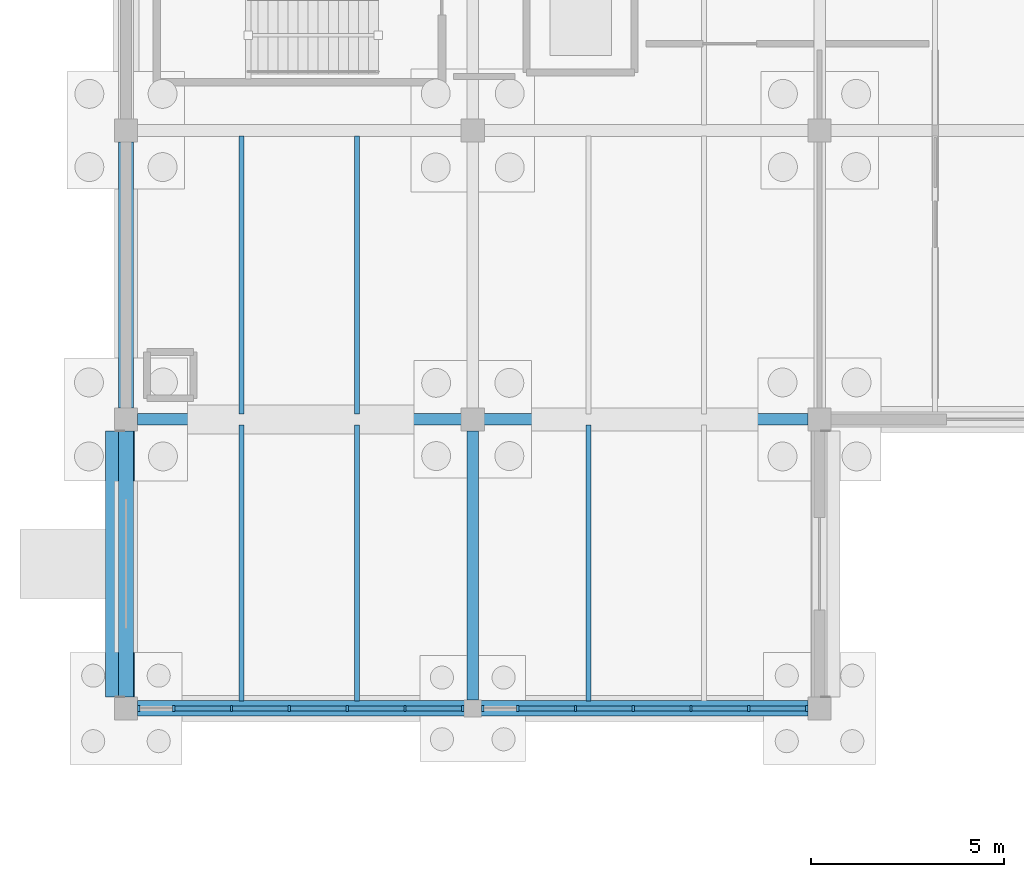
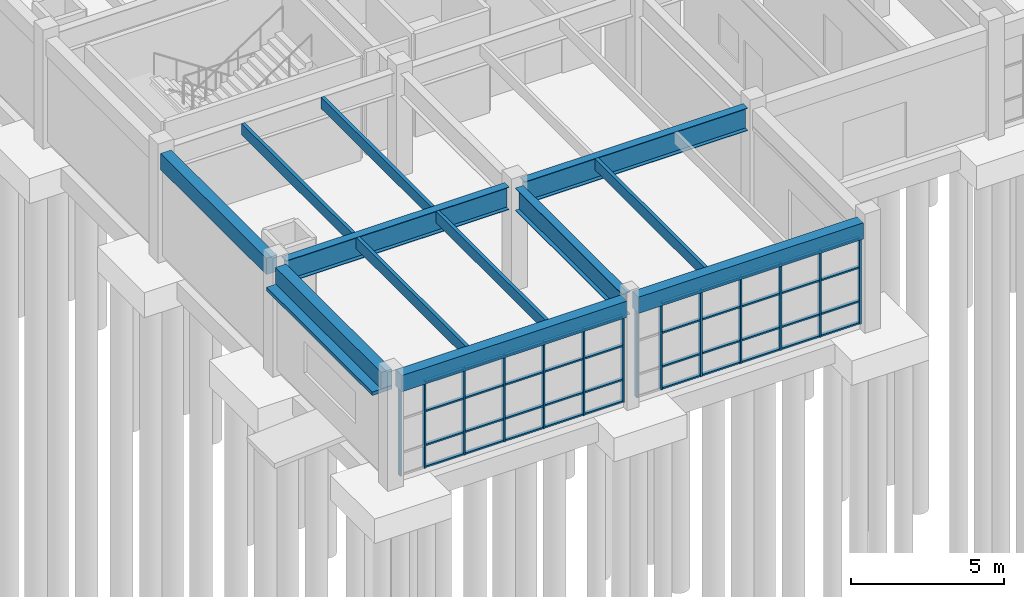
# One storey, part 27 of 93: 55 members, 12 beams, 2 elements without a shape of their own.
"""IFC4 building model written with IfcOpenShell, lengths in metres."""

from ifc_helpers import new_model, si_unit, direction, frame, origin, origin_2d, place, context, subcontext, project, spatial, rectangle, i_section, extrude, material, layer, layer_set, material_profile, profile_set, type_object, element, aggregate, save


model = new_model("IFC4")

# Units and contexts
model_context = context("Model", 3, precision=1e-05, world=origin(), true_north=direction((0.0, 1.0)))
body_context = subcontext(model_context, "Body", "Model", "MODEL_VIEW")
ifc_project = project(units=[si_unit("LENGTHUNIT", "METRE"), si_unit("AREAUNIT", "SQUARE_METRE"), si_unit("VOLUMEUNIT", "CUBIC_METRE"), si_unit("PLANEANGLEUNIT", "RADIAN"), si_unit("MASSUNIT", "GRAM", prefix="KILO")], contexts=[model_context])

# Site, building, storey
site_placement = place(None, origin())
site = spatial("IfcSite", under=ifc_project, at=site_placement, CompositionType="ELEMENT")
building_placement = place(site_placement, origin())
building = spatial("IfcBuilding", under=site, at=building_placement, Name="Marnridge Secondary College", CompositionType="ELEMENT")
storey_placement = place(building_placement, origin())
storey = spatial("IfcBuildingStorey", under=building, at=storey_placement, Name="L00", CompositionType="ELEMENT", Elevation=0.0)

# Beams
ifc_material_1 = material(Name="Engineered timber LVL E13.2", Category="wood")
ifc_material_profile_1 = material_profile(ifc_material_1, rectangle(XDim=0.1259765625, YDim=0.449951171875, at=origin_2d()), Name="LVL 126x450")
ifc_profile_set_1 = profile_set([ifc_material_profile_1], Name="Engineered timber LVL E13.2")
beam_type_1 = type_object("IfcBeamType", Name="BM-LVL450-INT", PredefinedType="JOIST", material=ifc_profile_set_1)
for number, where, z_axis, x_axis, name in (
    (1, (3.0, 82.64404296875, 3.875), (0.0, 1.0, 0.0), (-1.0, 0.0, 0.0), "Beam BJ-L00-0276"),
    (2, (6.0, 82.64404296875, 3.875), (0.0, 1.0, 0.0), (-1.0, 0.0, 0.0), "Beam BJ-L00-0277"),
):
    element("IfcBeam", number, at=place(storey_placement, frame(where, z_axis=z_axis, x_axis=x_axis)), inside=storey, type_object=beam_type_1, Name=name, PredefinedType="JOIST", context=body_context, shape_type="SweptSolid", body=[
        extrude(rectangle(XDim=0.1259765625, YDim=0.449951171875, at=origin_2d()), origin(), (0.0, 0.0, 1.0), 7.2119140625),
    ])
for number, where, z_axis, x_axis, name in (
    (3, (3.0, 75.194091796875, 3.875), (0.0, 1.0, 0.0), (-1.0, 0.0, 0.0), "Beam BJ-L00-0311"),
    (4, (6.0, 75.194091796875, 3.875), (0.0, 1.0, 0.0), (-1.0, 0.0, 0.0), "Beam BJ-L00-0312"),
    (5, (12.0, 75.194091796875, 3.875), (0.0, 1.0, 0.0), (-1.0, 0.0, 0.0), "Beam BJ-L00-0313"),
):
    element("IfcBeam", number, at=place(storey_placement, frame(where, z_axis=z_axis, x_axis=x_axis)), inside=storey, type_object=beam_type_1, Name=name, PredefinedType="JOIST", context=body_context, shape_type="SweptSolid", body=[
        extrude(rectangle(XDim=0.1259765625, YDim=0.449951171875, at=origin_2d()), origin(), (0.0, 0.0, 1.0), 7.161865234375),
    ])
ifc_material_2 = material(Name="Concrete C40/50 (AS 3600 N40, 40 MPa)", Category="concrete")
ifc_material_profile_2 = material_profile(ifc_material_2, rectangle(XDim=0.39990234375, YDim=0.64990234375, at=origin_2d()), Name="RC 400x650")
ifc_profile_set_2 = profile_set([ifc_material_profile_2], Name="Concrete C40/50 (AS 3600 N40, 40 MPa)")
beam_type_2 = type_object("IfcBeamType", Name="BM-RC4065-EXT", PredefinedType="SPANDREL", material=ifc_profile_set_2)
beam_1_placement = place(storey_placement, frame((0.0, 82.7939453125, 3.77490234375), z_axis=(0.0, 1.0, 0.0), x_axis=(-1.0, 0.0, 0.0)))
element("IfcBeam", 6, at=beam_1_placement, inside=storey, type_object=beam_type_2, Name="Beam BS-L00-0224", PredefinedType="SPANDREL", context=body_context, shape_type="SweptSolid", body=[
    extrude(rectangle(XDim=0.39990234375, YDim=0.64990234375, at=origin_2d()), origin(), (0.0, 0.0, 1.0), 6.912109375),
])
beam_2_placement = place(storey_placement, frame((0.2939453125, 75.0, 3.77490234375), z_axis=(1.0, 0.0, 0.0), x_axis=(0.0, 1.0, 0.0)))
element("IfcBeam", 7, at=beam_2_placement, inside=storey, type_object=beam_type_2, Name="Beam BS-L00-0271", PredefinedType="SPANDREL", context=body_context, shape_type="SweptSolid", body=[
    extrude(rectangle(XDim=0.39990234375, YDim=0.64990234375, at=origin_2d()), origin(), (0.0, 0.0, 1.0), 8.487060546875),
])
beam_3_placement = place(storey_placement, frame((0.0, 75.2939453125, 3.77490234375), z_axis=(0.0, 1.0, 0.0), x_axis=(-1.0, 0.0, 0.0)))
element("IfcBeam", 8, at=beam_3_placement, inside=storey, type_object=beam_type_2, Name="Beam BS-L00-0272", PredefinedType="SPANDREL", context=body_context, shape_type="SweptSolid", body=[
    extrude(rectangle(XDim=0.39990234375, YDim=0.64990234375, at=origin_2d()), origin(), (0.0, 0.0, 1.0), 6.912109375),
])
beam_4_placement = place(storey_placement, frame((9.218994140625, 75.0, 3.77490234375), z_axis=(1.0, 0.0, 0.0), x_axis=(0.0, 1.0, 0.0)))
element("IfcBeam", 9, at=beam_4_placement, inside=storey, type_object=beam_type_2, Name="Beam BS-L00-0274", PredefinedType="SPANDREL", context=body_context, shape_type="SweptSolid", body=[
    extrude(rectangle(XDim=0.39990234375, YDim=0.64990234375, at=origin_2d()), origin(), (0.0, 0.0, 1.0), 8.487060546875),
])
ifc_material_3 = material(Name="Structural steel Grade 350 (AS/NZS 3679.1/.2, fy = 340-360 MPa)", Category="steel")
ifc_material_profile_3 = material_profile(ifc_material_3, i_section(OverallWidth=0.300048828125, OverallDepth=0.89990234375, WebThickness=0.011962890625, FlangeThickness=0.02001953125, at=origin_2d()), Name="900WB175")
ifc_profile_set_3 = profile_set([ifc_material_profile_3], Name="Structural steel Grade 350 (AS/NZS 3679.1/.2, fy = 340-360 MPa)")
beam_type_3 = type_object("IfcBeamType", Name="BM-WB900-INT", PredefinedType="BEAM", material=ifc_profile_set_3)
for number, where, z_axis, x_axis, name in (
    (10, (0.2939453125, 82.5, 3.64990234375), (1.0, 0.0, 0.0), (0.0, 1.0, 0.0), "Beam B-L00-0222"),
    (11, (9.2939453125, 82.5, 3.64990234375), (1.0, 0.0, 0.0), (0.0, 1.0, 0.0), "Beam B-L00-0238"),
):
    element("IfcBeam", number, at=place(storey_placement, frame(where, z_axis=z_axis, x_axis=x_axis)), inside=storey, type_object=beam_type_3, Name=name, PredefinedType="BEAM", context=body_context, shape_type="SweptSolid", body=[
        extrude(i_section(OverallWidth=0.300048828125, OverallDepth=0.89990234375, WebThickness=0.011962890625, FlangeThickness=0.02001953125, at=origin_2d()), origin(), (0.0, 0.0, 1.0), 8.412109375),
    ])
beam_5_placement = place(storey_placement, frame((9.0, 75.218994140625, 3.64990234375), z_axis=(0.0, 1.0, 0.0), x_axis=(-1.0, 0.0, 0.0)))
element("IfcBeam", 12, at=beam_5_placement, inside=storey, type_object=beam_type_3, Name="Beam B-L00-0273", PredefinedType="BEAM", context=body_context, shape_type="SweptSolid", body=[
    extrude(i_section(OverallWidth=0.300048828125, OverallDepth=0.89990234375, WebThickness=0.011962890625, FlangeThickness=0.02001953125, at=origin_2d()), origin(), (0.0, 0.0, 1.0), 6.987060546875),
])

# Curtain wall, members
ifc_material_4 = material(Name="Thermally broken aluminium and low-E glazing", Category="aluminium")
ifc_layer = layer(ifc_material_4, 0.159912109375)
ifc_layer_set = layer_set([ifc_layer], Name="CW-MOD-1500")
curtain_wall_type = type_object("IfcCurtainWallType", Name="CW-MOD-1500", PredefinedType="NOTDEFINED", material=ifc_layer_set)
curtain_wall_1_placement = place(storey_placement, origin())
curtain_wall_1 = element("IfcCurtainWall", 13, at=curtain_wall_1_placement, inside=storey, type_object=curtain_wall_type, Name="Unitised curtain wall CW-L00-015", PredefinedType="NOTDEFINED")
ifc_material_5 = material(Name="Anodised aluminium 6063-T6", Category="aluminium")
ifc_material_profile_4 = material_profile(ifc_material_5, rectangle(XDim=0.06005859375, YDim=0.159912109375, at=origin_2d()), Name="ALU 60x160")
ifc_profile_set_4 = profile_set([ifc_material_profile_4], Name="Anodised aluminium 6063-T6")
member_type_1 = type_object("IfcMemberType", Name="CWM-ALU160", PredefinedType="MULLION", material=ifc_profile_set_4)
member_1_placement = place(storey_placement, frame((17.666015625, 75.0, 0.0), z_axis=(0.0, 0.0, 1.0), x_axis=(-1.0, 0.0, 0.0)))
member_1 = element("IfcMember", 14, at=member_1_placement, type_object=member_type_1, Name="CW-L00-015 mullion 1", PredefinedType="MULLION", context=body_context, shape_type="SweptSolid", body=[
    extrude(rectangle(XDim=0.06005859375, YDim=0.159912109375, at=origin_2d()), origin(), (0.0, 0.0, 1.0), 3.44189453125),
])
member_2_placement = place(storey_placement, frame((16.166015625, 75.0, 0.0), z_axis=(0.0, 0.0, 1.0), x_axis=(-1.0, 0.0, 0.0)))
member_2 = element("IfcMember", 15, at=member_2_placement, type_object=member_type_1, Name="CW-L00-015 mullion 2", PredefinedType="MULLION", context=body_context, shape_type="SweptSolid", body=[
    extrude(rectangle(XDim=0.06005859375, YDim=0.159912109375, at=origin_2d()), origin(), (0.0, 0.0, 1.0), 3.44189453125),
])
member_3_placement = place(storey_placement, frame((14.666015625, 75.0, 0.0), z_axis=(0.0, 0.0, 1.0), x_axis=(-1.0, 0.0, 0.0)))
member_3 = element("IfcMember", 16, at=member_3_placement, type_object=member_type_1, Name="CW-L00-015 mullion 3", PredefinedType="MULLION", context=body_context, shape_type="SweptSolid", body=[
    extrude(rectangle(XDim=0.06005859375, YDim=0.159912109375, at=origin_2d()), origin(), (0.0, 0.0, 1.0), 3.44189453125),
])
member_4_placement = place(storey_placement, frame((13.166015625, 75.0, 0.0), z_axis=(0.0, 0.0, 1.0), x_axis=(-1.0, 0.0, 0.0)))
member_4 = element("IfcMember", 17, at=member_4_placement, type_object=member_type_1, Name="CW-L00-015 mullion 4", PredefinedType="MULLION", context=body_context, shape_type="SweptSolid", body=[
    extrude(rectangle(XDim=0.06005859375, YDim=0.159912109375, at=origin_2d()), origin(), (0.0, 0.0, 1.0), 3.44189453125),
])
member_5_placement = place(storey_placement, frame((11.666015625, 75.0, 0.0), z_axis=(0.0, 0.0, 1.0), x_axis=(-1.0, 0.0, 0.0)))
member_5 = element("IfcMember", 18, at=member_5_placement, type_object=member_type_1, Name="CW-L00-015 mullion 5", PredefinedType="MULLION", context=body_context, shape_type="SweptSolid", body=[
    extrude(rectangle(XDim=0.06005859375, YDim=0.159912109375, at=origin_2d()), origin(), (0.0, 0.0, 1.0), 3.44189453125),
])
member_6_placement = place(storey_placement, frame((10.166015625, 75.0, 0.0), z_axis=(0.0, 0.0, 1.0), x_axis=(-1.0, 0.0, 0.0)))
member_6 = element("IfcMember", 19, at=member_6_placement, type_object=member_type_1, Name="CW-L00-015 mullion 6", PredefinedType="MULLION", context=body_context, shape_type="SweptSolid", body=[
    extrude(rectangle(XDim=0.06005859375, YDim=0.159912109375, at=origin_2d()), origin(), (0.0, 0.0, 1.0), 3.44189453125),
])
member_7_placement = place(storey_placement, frame((9.259033203125, 75.0, 0.0), z_axis=(0.0, 0.0, 1.0), x_axis=(-1.0, 0.0, 0.0)))
member_7 = element("IfcMember", 20, at=member_7_placement, type_object=member_type_1, Name="CW-L00-015 mullion 7", PredefinedType="MULLION", context=body_context, shape_type="SweptSolid", body=[
    extrude(rectangle(XDim=0.06005859375, YDim=0.159912109375, at=origin_2d()), origin(), (0.0, 0.0, 1.0), 3.44189453125),
])

curtain_wall_2_placement = place(storey_placement, origin())
curtain_wall_2 = element("IfcCurtainWall", 21, at=curtain_wall_2_placement, inside=storey, type_object=curtain_wall_type, Name="Unitised curtain wall CW-L00-016", PredefinedType="NOTDEFINED")
member_8_placement = place(storey_placement, frame((8.740966796875, 75.0, 0.0), z_axis=(0.0, 0.0, 1.0), x_axis=(-1.0, 0.0, 0.0)))
member_8 = element("IfcMember", 22, at=member_8_placement, type_object=member_type_1, Name="CW-L00-016 mullion 1", PredefinedType="MULLION", context=body_context, shape_type="SweptSolid", body=[
    extrude(rectangle(XDim=0.06005859375, YDim=0.159912109375, at=origin_2d()), origin(), (0.0, 0.0, 1.0), 3.44189453125),
])
member_9_placement = place(storey_placement, frame((7.240966796875, 75.0, 0.0), z_axis=(0.0, 0.0, 1.0), x_axis=(-1.0, 0.0, 0.0)))
member_9 = element("IfcMember", 23, at=member_9_placement, type_object=member_type_1, Name="CW-L00-016 mullion 2", PredefinedType="MULLION", context=body_context, shape_type="SweptSolid", body=[
    extrude(rectangle(XDim=0.06005859375, YDim=0.159912109375, at=origin_2d()), origin(), (0.0, 0.0, 1.0), 3.44189453125),
])
member_10_placement = place(storey_placement, frame((5.740966796875, 75.0, 0.0), z_axis=(0.0, 0.0, 1.0), x_axis=(-1.0, 0.0, 0.0)))
member_10 = element("IfcMember", 24, at=member_10_placement, type_object=member_type_1, Name="CW-L00-016 mullion 3", PredefinedType="MULLION", context=body_context, shape_type="SweptSolid", body=[
    extrude(rectangle(XDim=0.06005859375, YDim=0.159912109375, at=origin_2d()), origin(), (0.0, 0.0, 1.0), 3.44189453125),
])
member_11_placement = place(storey_placement, frame((4.240966796875, 75.0, 0.0), z_axis=(0.0, 0.0, 1.0), x_axis=(-1.0, 0.0, 0.0)))
member_11 = element("IfcMember", 25, at=member_11_placement, type_object=member_type_1, Name="CW-L00-016 mullion 4", PredefinedType="MULLION", context=body_context, shape_type="SweptSolid", body=[
    extrude(rectangle(XDim=0.06005859375, YDim=0.159912109375, at=origin_2d()), origin(), (0.0, 0.0, 1.0), 3.44189453125),
])
member_12_placement = place(storey_placement, frame((2.740966796875, 75.0, 0.0), z_axis=(0.0, 0.0, 1.0), x_axis=(-1.0, 0.0, 0.0)))
member_12 = element("IfcMember", 26, at=member_12_placement, type_object=member_type_1, Name="CW-L00-016 mullion 5", PredefinedType="MULLION", context=body_context, shape_type="SweptSolid", body=[
    extrude(rectangle(XDim=0.06005859375, YDim=0.159912109375, at=origin_2d()), origin(), (0.0, 0.0, 1.0), 3.44189453125),
])
member_13_placement = place(storey_placement, frame((1.240966796875, 75.0, 0.0), z_axis=(0.0, 0.0, 1.0), x_axis=(-1.0, 0.0, 0.0)))
member_13 = element("IfcMember", 27, at=member_13_placement, type_object=member_type_1, Name="CW-L00-016 mullion 6", PredefinedType="MULLION", context=body_context, shape_type="SweptSolid", body=[
    extrude(rectangle(XDim=0.06005859375, YDim=0.159912109375, at=origin_2d()), origin(), (0.0, 0.0, 1.0), 3.44189453125),
])
member_14_placement = place(storey_placement, frame((0.333984375, 75.0, 0.0), z_axis=(0.0, 0.0, 1.0), x_axis=(-1.0, 0.0, 0.0)))
member_14 = element("IfcMember", 28, at=member_14_placement, type_object=member_type_1, Name="CW-L00-016 mullion 7", PredefinedType="MULLION", context=body_context, shape_type="SweptSolid", body=[
    extrude(rectangle(XDim=0.06005859375, YDim=0.159912109375, at=origin_2d()), origin(), (0.0, 0.0, 1.0), 3.44189453125),
])

# Member
ifc_material_6 = material(Name="Anodised aluminium 6063-T6", Category="aluminium")
ifc_material_profile_5 = material_profile(ifc_material_6, rectangle(XDim=0.06005859375, YDim=0.1201171875, at=origin_2d()), Name="ALU 60x120")
ifc_profile_set_5 = profile_set([ifc_material_profile_5], Name="Anodised aluminium 6063-T6")
member_type_2 = type_object("IfcMemberType", Name="CWT-ALU120", PredefinedType="USERDEFINED", material=ifc_profile_set_5)
member_15_placement = place(storey_placement, frame((17.635986328125, 75.0, 0.030029296875), z_axis=(-1.0, 0.0, 0.0), x_axis=(0.0, 0.0, 1.0)))
member_15 = element("IfcMember", 29, at=member_15_placement, type_object=member_type_2, Name="CW-L00-015 transom 1.1", ObjectType="TRANSOM", PredefinedType="USERDEFINED", context=body_context, shape_type="SweptSolid", body=[
    extrude(rectangle(XDim=0.06005859375, YDim=0.1201171875, at=origin_2d()), origin(), (0.0, 0.0, 1.0), 1.43994140625),
])

member_16_placement = place(storey_placement, frame((17.635986328125, 75.0, 0.89990234375), z_axis=(-1.0, 0.0, 0.0), x_axis=(0.0, 0.0, 1.0)))
member_16 = element("IfcMember", 30, at=member_16_placement, type_object=member_type_2, Name="CW-L00-015 transom 1.2", ObjectType="TRANSOM", PredefinedType="USERDEFINED", context=body_context, shape_type="SweptSolid", body=[
    extrude(rectangle(XDim=0.06005859375, YDim=0.1201171875, at=origin_2d()), origin(), (0.0, 0.0, 1.0), 1.43994140625),
])

member_17_placement = place(storey_placement, frame((17.635986328125, 75.0, 2.25), z_axis=(-1.0, 0.0, 0.0), x_axis=(0.0, 0.0, 1.0)))
member_17 = element("IfcMember", 31, at=member_17_placement, type_object=member_type_2, Name="CW-L00-015 transom 1.3", ObjectType="TRANSOM", PredefinedType="USERDEFINED", context=body_context, shape_type="SweptSolid", body=[
    extrude(rectangle(XDim=0.06005859375, YDim=0.1201171875, at=origin_2d()), origin(), (0.0, 0.0, 1.0), 1.43994140625),
])

member_18_placement = place(storey_placement, frame((17.635986328125, 75.0, 3.412109375), z_axis=(-1.0, 0.0, 0.0), x_axis=(0.0, 0.0, 1.0)))
member_18 = element("IfcMember", 32, at=member_18_placement, type_object=member_type_2, Name="CW-L00-015 transom 1.4", ObjectType="TRANSOM", PredefinedType="USERDEFINED", context=body_context, shape_type="SweptSolid", body=[
    extrude(rectangle(XDim=0.06005859375, YDim=0.1201171875, at=origin_2d()), origin(), (0.0, 0.0, 1.0), 1.43994140625),
])

member_19_placement = place(storey_placement, frame((16.135986328125, 75.0, 0.030029296875), z_axis=(-1.0, 0.0, 0.0), x_axis=(0.0, 0.0, 1.0)))
member_19 = element("IfcMember", 33, at=member_19_placement, type_object=member_type_2, Name="CW-L00-015 transom 2.1", ObjectType="TRANSOM", PredefinedType="USERDEFINED", context=body_context, shape_type="SweptSolid", body=[
    extrude(rectangle(XDim=0.06005859375, YDim=0.1201171875, at=origin_2d()), origin(), (0.0, 0.0, 1.0), 1.43994140625),
])

member_20_placement = place(storey_placement, frame((16.135986328125, 75.0, 0.89990234375), z_axis=(-1.0, 0.0, 0.0), x_axis=(0.0, 0.0, 1.0)))
member_20 = element("IfcMember", 34, at=member_20_placement, type_object=member_type_2, Name="CW-L00-015 transom 2.2", ObjectType="TRANSOM", PredefinedType="USERDEFINED", context=body_context, shape_type="SweptSolid", body=[
    extrude(rectangle(XDim=0.06005859375, YDim=0.1201171875, at=origin_2d()), origin(), (0.0, 0.0, 1.0), 1.43994140625),
])

member_21_placement = place(storey_placement, frame((16.135986328125, 75.0, 2.25), z_axis=(-1.0, 0.0, 0.0), x_axis=(0.0, 0.0, 1.0)))
member_21 = element("IfcMember", 35, at=member_21_placement, type_object=member_type_2, Name="CW-L00-015 transom 2.3", ObjectType="TRANSOM", PredefinedType="USERDEFINED", context=body_context, shape_type="SweptSolid", body=[
    extrude(rectangle(XDim=0.06005859375, YDim=0.1201171875, at=origin_2d()), origin(), (0.0, 0.0, 1.0), 1.43994140625),
])

member_22_placement = place(storey_placement, frame((16.135986328125, 75.0, 3.412109375), z_axis=(-1.0, 0.0, 0.0), x_axis=(0.0, 0.0, 1.0)))
member_22 = element("IfcMember", 36, at=member_22_placement, type_object=member_type_2, Name="CW-L00-015 transom 2.4", ObjectType="TRANSOM", PredefinedType="USERDEFINED", context=body_context, shape_type="SweptSolid", body=[
    extrude(rectangle(XDim=0.06005859375, YDim=0.1201171875, at=origin_2d()), origin(), (0.0, 0.0, 1.0), 1.43994140625),
])

member_23_placement = place(storey_placement, frame((14.635986328125, 75.0, 0.030029296875), z_axis=(-1.0, 0.0, 0.0), x_axis=(0.0, 0.0, 1.0)))
member_23 = element("IfcMember", 37, at=member_23_placement, type_object=member_type_2, Name="CW-L00-015 transom 3.1", ObjectType="TRANSOM", PredefinedType="USERDEFINED", context=body_context, shape_type="SweptSolid", body=[
    extrude(rectangle(XDim=0.06005859375, YDim=0.1201171875, at=origin_2d()), origin(), (0.0, 0.0, 1.0), 1.43994140625),
])

member_24_placement = place(storey_placement, frame((14.635986328125, 75.0, 0.89990234375), z_axis=(-1.0, 0.0, 0.0), x_axis=(0.0, 0.0, 1.0)))
member_24 = element("IfcMember", 38, at=member_24_placement, type_object=member_type_2, Name="CW-L00-015 transom 3.2", ObjectType="TRANSOM", PredefinedType="USERDEFINED", context=body_context, shape_type="SweptSolid", body=[
    extrude(rectangle(XDim=0.06005859375, YDim=0.1201171875, at=origin_2d()), origin(), (0.0, 0.0, 1.0), 1.43994140625),
])

member_25_placement = place(storey_placement, frame((14.635986328125, 75.0, 2.25), z_axis=(-1.0, 0.0, 0.0), x_axis=(0.0, 0.0, 1.0)))
member_25 = element("IfcMember", 39, at=member_25_placement, type_object=member_type_2, Name="CW-L00-015 transom 3.3", ObjectType="TRANSOM", PredefinedType="USERDEFINED", context=body_context, shape_type="SweptSolid", body=[
    extrude(rectangle(XDim=0.06005859375, YDim=0.1201171875, at=origin_2d()), origin(), (0.0, 0.0, 1.0), 1.43994140625),
])

member_26_placement = place(storey_placement, frame((14.635986328125, 75.0, 3.412109375), z_axis=(-1.0, 0.0, 0.0), x_axis=(0.0, 0.0, 1.0)))
member_26 = element("IfcMember", 40, at=member_26_placement, type_object=member_type_2, Name="CW-L00-015 transom 3.4", ObjectType="TRANSOM", PredefinedType="USERDEFINED", context=body_context, shape_type="SweptSolid", body=[
    extrude(rectangle(XDim=0.06005859375, YDim=0.1201171875, at=origin_2d()), origin(), (0.0, 0.0, 1.0), 1.43994140625),
])

member_27_placement = place(storey_placement, frame((13.135986328125, 75.0, 0.030029296875), z_axis=(-1.0, 0.0, 0.0), x_axis=(0.0, 0.0, 1.0)))
member_27 = element("IfcMember", 41, at=member_27_placement, type_object=member_type_2, Name="CW-L00-015 transom 4.1", ObjectType="TRANSOM", PredefinedType="USERDEFINED", context=body_context, shape_type="SweptSolid", body=[
    extrude(rectangle(XDim=0.06005859375, YDim=0.1201171875, at=origin_2d()), origin(), (0.0, 0.0, 1.0), 1.43994140625),
])

member_28_placement = place(storey_placement, frame((13.135986328125, 75.0, 0.89990234375), z_axis=(-1.0, 0.0, 0.0), x_axis=(0.0, 0.0, 1.0)))
member_28 = element("IfcMember", 42, at=member_28_placement, type_object=member_type_2, Name="CW-L00-015 transom 4.2", ObjectType="TRANSOM", PredefinedType="USERDEFINED", context=body_context, shape_type="SweptSolid", body=[
    extrude(rectangle(XDim=0.06005859375, YDim=0.1201171875, at=origin_2d()), origin(), (0.0, 0.0, 1.0), 1.43994140625),
])

member_29_placement = place(storey_placement, frame((13.135986328125, 75.0, 2.25), z_axis=(-1.0, 0.0, 0.0), x_axis=(0.0, 0.0, 1.0)))
member_29 = element("IfcMember", 43, at=member_29_placement, type_object=member_type_2, Name="CW-L00-015 transom 4.3", ObjectType="TRANSOM", PredefinedType="USERDEFINED", context=body_context, shape_type="SweptSolid", body=[
    extrude(rectangle(XDim=0.06005859375, YDim=0.1201171875, at=origin_2d()), origin(), (0.0, 0.0, 1.0), 1.43994140625),
])

member_30_placement = place(storey_placement, frame((13.135986328125, 75.0, 3.412109375), z_axis=(-1.0, 0.0, 0.0), x_axis=(0.0, 0.0, 1.0)))
member_30 = element("IfcMember", 44, at=member_30_placement, type_object=member_type_2, Name="CW-L00-015 transom 4.4", ObjectType="TRANSOM", PredefinedType="USERDEFINED", context=body_context, shape_type="SweptSolid", body=[
    extrude(rectangle(XDim=0.06005859375, YDim=0.1201171875, at=origin_2d()), origin(), (0.0, 0.0, 1.0), 1.43994140625),
])

member_31_placement = place(storey_placement, frame((11.635986328125, 75.0, 0.030029296875), z_axis=(-1.0, 0.0, 0.0), x_axis=(0.0, 0.0, 1.0)))
member_31 = element("IfcMember", 45, at=member_31_placement, type_object=member_type_2, Name="CW-L00-015 transom 5.1", ObjectType="TRANSOM", PredefinedType="USERDEFINED", context=body_context, shape_type="SweptSolid", body=[
    extrude(rectangle(XDim=0.06005859375, YDim=0.1201171875, at=origin_2d()), origin(), (0.0, 0.0, 1.0), 1.43994140625),
])

member_32_placement = place(storey_placement, frame((11.635986328125, 75.0, 0.89990234375), z_axis=(-1.0, 0.0, 0.0), x_axis=(0.0, 0.0, 1.0)))
member_32 = element("IfcMember", 46, at=member_32_placement, type_object=member_type_2, Name="CW-L00-015 transom 5.2", ObjectType="TRANSOM", PredefinedType="USERDEFINED", context=body_context, shape_type="SweptSolid", body=[
    extrude(rectangle(XDim=0.06005859375, YDim=0.1201171875, at=origin_2d()), origin(), (0.0, 0.0, 1.0), 1.43994140625),
])

member_33_placement = place(storey_placement, frame((11.635986328125, 75.0, 2.25), z_axis=(-1.0, 0.0, 0.0), x_axis=(0.0, 0.0, 1.0)))
member_33 = element("IfcMember", 47, at=member_33_placement, type_object=member_type_2, Name="CW-L00-015 transom 5.3", ObjectType="TRANSOM", PredefinedType="USERDEFINED", context=body_context, shape_type="SweptSolid", body=[
    extrude(rectangle(XDim=0.06005859375, YDim=0.1201171875, at=origin_2d()), origin(), (0.0, 0.0, 1.0), 1.43994140625),
])

member_34_placement = place(storey_placement, frame((11.635986328125, 75.0, 3.412109375), z_axis=(-1.0, 0.0, 0.0), x_axis=(0.0, 0.0, 1.0)))
member_34 = element("IfcMember", 48, at=member_34_placement, type_object=member_type_2, Name="CW-L00-015 transom 5.4", ObjectType="TRANSOM", PredefinedType="USERDEFINED", context=body_context, shape_type="SweptSolid", body=[
    extrude(rectangle(XDim=0.06005859375, YDim=0.1201171875, at=origin_2d()), origin(), (0.0, 0.0, 1.0), 1.43994140625),
])

aggregate(curtain_wall_1, [member_1, member_2, member_3, member_4, member_5, member_6, member_7, member_15, member_16, member_17, member_18, member_19, member_20, member_21, member_22, member_23, member_24, member_25, member_26, member_27, member_28, member_29, member_30, member_31, member_32, member_33, member_34])

member_35_placement = place(storey_placement, frame((8.7109375, 75.0, 0.030029296875), z_axis=(-1.0, 0.0, 0.0), x_axis=(0.0, 0.0, 1.0)))
member_35 = element("IfcMember", 49, at=member_35_placement, type_object=member_type_2, Name="CW-L00-016 transom 1.1", ObjectType="TRANSOM", PredefinedType="USERDEFINED", context=body_context, shape_type="SweptSolid", body=[
    extrude(rectangle(XDim=0.06005859375, YDim=0.1201171875, at=origin_2d()), origin(), (0.0, 0.0, 1.0), 1.43994140625),
])

member_36_placement = place(storey_placement, frame((8.7109375, 75.0, 0.89990234375), z_axis=(-1.0, 0.0, 0.0), x_axis=(0.0, 0.0, 1.0)))
member_36 = element("IfcMember", 50, at=member_36_placement, type_object=member_type_2, Name="CW-L00-016 transom 1.2", ObjectType="TRANSOM", PredefinedType="USERDEFINED", context=body_context, shape_type="SweptSolid", body=[
    extrude(rectangle(XDim=0.06005859375, YDim=0.1201171875, at=origin_2d()), origin(), (0.0, 0.0, 1.0), 1.43994140625),
])

member_37_placement = place(storey_placement, frame((8.7109375, 75.0, 2.25), z_axis=(-1.0, 0.0, 0.0), x_axis=(0.0, 0.0, 1.0)))
member_37 = element("IfcMember", 51, at=member_37_placement, type_object=member_type_2, Name="CW-L00-016 transom 1.3", ObjectType="TRANSOM", PredefinedType="USERDEFINED", context=body_context, shape_type="SweptSolid", body=[
    extrude(rectangle(XDim=0.06005859375, YDim=0.1201171875, at=origin_2d()), origin(), (0.0, 0.0, 1.0), 1.43994140625),
])

member_38_placement = place(storey_placement, frame((8.7109375, 75.0, 3.412109375), z_axis=(-1.0, 0.0, 0.0), x_axis=(0.0, 0.0, 1.0)))
member_38 = element("IfcMember", 52, at=member_38_placement, type_object=member_type_2, Name="CW-L00-016 transom 1.4", ObjectType="TRANSOM", PredefinedType="USERDEFINED", context=body_context, shape_type="SweptSolid", body=[
    extrude(rectangle(XDim=0.06005859375, YDim=0.1201171875, at=origin_2d()), origin(), (0.0, 0.0, 1.0), 1.43994140625),
])

member_39_placement = place(storey_placement, frame((7.2109375, 75.0, 0.030029296875), z_axis=(-1.0, 0.0, 0.0), x_axis=(0.0, 0.0, 1.0)))
member_39 = element("IfcMember", 53, at=member_39_placement, type_object=member_type_2, Name="CW-L00-016 transom 2.1", ObjectType="TRANSOM", PredefinedType="USERDEFINED", context=body_context, shape_type="SweptSolid", body=[
    extrude(rectangle(XDim=0.06005859375, YDim=0.1201171875, at=origin_2d()), origin(), (0.0, 0.0, 1.0), 1.43994140625),
])

member_40_placement = place(storey_placement, frame((7.2109375, 75.0, 0.89990234375), z_axis=(-1.0, 0.0, 0.0), x_axis=(0.0, 0.0, 1.0)))
member_40 = element("IfcMember", 54, at=member_40_placement, type_object=member_type_2, Name="CW-L00-016 transom 2.2", ObjectType="TRANSOM", PredefinedType="USERDEFINED", context=body_context, shape_type="SweptSolid", body=[
    extrude(rectangle(XDim=0.06005859375, YDim=0.1201171875, at=origin_2d()), origin(), (0.0, 0.0, 1.0), 1.43994140625),
])

member_41_placement = place(storey_placement, frame((7.2109375, 75.0, 2.25), z_axis=(-1.0, 0.0, 0.0), x_axis=(0.0, 0.0, 1.0)))
member_41 = element("IfcMember", 55, at=member_41_placement, type_object=member_type_2, Name="CW-L00-016 transom 2.3", ObjectType="TRANSOM", PredefinedType="USERDEFINED", context=body_context, shape_type="SweptSolid", body=[
    extrude(rectangle(XDim=0.06005859375, YDim=0.1201171875, at=origin_2d()), origin(), (0.0, 0.0, 1.0), 1.43994140625),
])

member_42_placement = place(storey_placement, frame((7.2109375, 75.0, 3.412109375), z_axis=(-1.0, 0.0, 0.0), x_axis=(0.0, 0.0, 1.0)))
member_42 = element("IfcMember", 56, at=member_42_placement, type_object=member_type_2, Name="CW-L00-016 transom 2.4", ObjectType="TRANSOM", PredefinedType="USERDEFINED", context=body_context, shape_type="SweptSolid", body=[
    extrude(rectangle(XDim=0.06005859375, YDim=0.1201171875, at=origin_2d()), origin(), (0.0, 0.0, 1.0), 1.43994140625),
])

member_43_placement = place(storey_placement, frame((5.7109375, 75.0, 0.030029296875), z_axis=(-1.0, 0.0, 0.0), x_axis=(0.0, 0.0, 1.0)))
member_43 = element("IfcMember", 57, at=member_43_placement, type_object=member_type_2, Name="CW-L00-016 transom 3.1", ObjectType="TRANSOM", PredefinedType="USERDEFINED", context=body_context, shape_type="SweptSolid", body=[
    extrude(rectangle(XDim=0.06005859375, YDim=0.1201171875, at=origin_2d()), origin(), (0.0, 0.0, 1.0), 1.43994140625),
])

member_44_placement = place(storey_placement, frame((5.7109375, 75.0, 0.89990234375), z_axis=(-1.0, 0.0, 0.0), x_axis=(0.0, 0.0, 1.0)))
member_44 = element("IfcMember", 58, at=member_44_placement, type_object=member_type_2, Name="CW-L00-016 transom 3.2", ObjectType="TRANSOM", PredefinedType="USERDEFINED", context=body_context, shape_type="SweptSolid", body=[
    extrude(rectangle(XDim=0.06005859375, YDim=0.1201171875, at=origin_2d()), origin(), (0.0, 0.0, 1.0), 1.43994140625),
])

member_45_placement = place(storey_placement, frame((5.7109375, 75.0, 2.25), z_axis=(-1.0, 0.0, 0.0), x_axis=(0.0, 0.0, 1.0)))
member_45 = element("IfcMember", 59, at=member_45_placement, type_object=member_type_2, Name="CW-L00-016 transom 3.3", ObjectType="TRANSOM", PredefinedType="USERDEFINED", context=body_context, shape_type="SweptSolid", body=[
    extrude(rectangle(XDim=0.06005859375, YDim=0.1201171875, at=origin_2d()), origin(), (0.0, 0.0, 1.0), 1.43994140625),
])

member_46_placement = place(storey_placement, frame((5.7109375, 75.0, 3.412109375), z_axis=(-1.0, 0.0, 0.0), x_axis=(0.0, 0.0, 1.0)))
member_46 = element("IfcMember", 60, at=member_46_placement, type_object=member_type_2, Name="CW-L00-016 transom 3.4", ObjectType="TRANSOM", PredefinedType="USERDEFINED", context=body_context, shape_type="SweptSolid", body=[
    extrude(rectangle(XDim=0.06005859375, YDim=0.1201171875, at=origin_2d()), origin(), (0.0, 0.0, 1.0), 1.43994140625),
])

member_47_placement = place(storey_placement, frame((4.2109375, 75.0, 0.030029296875), z_axis=(-1.0, 0.0, 0.0), x_axis=(0.0, 0.0, 1.0)))
member_47 = element("IfcMember", 61, at=member_47_placement, type_object=member_type_2, Name="CW-L00-016 transom 4.1", ObjectType="TRANSOM", PredefinedType="USERDEFINED", context=body_context, shape_type="SweptSolid", body=[
    extrude(rectangle(XDim=0.06005859375, YDim=0.1201171875, at=origin_2d()), origin(), (0.0, 0.0, 1.0), 1.43994140625),
])

member_48_placement = place(storey_placement, frame((4.2109375, 75.0, 0.89990234375), z_axis=(-1.0, 0.0, 0.0), x_axis=(0.0, 0.0, 1.0)))
member_48 = element("IfcMember", 62, at=member_48_placement, type_object=member_type_2, Name="CW-L00-016 transom 4.2", ObjectType="TRANSOM", PredefinedType="USERDEFINED", context=body_context, shape_type="SweptSolid", body=[
    extrude(rectangle(XDim=0.06005859375, YDim=0.1201171875, at=origin_2d()), origin(), (0.0, 0.0, 1.0), 1.43994140625),
])

member_49_placement = place(storey_placement, frame((4.2109375, 75.0, 2.25), z_axis=(-1.0, 0.0, 0.0), x_axis=(0.0, 0.0, 1.0)))
member_49 = element("IfcMember", 63, at=member_49_placement, type_object=member_type_2, Name="CW-L00-016 transom 4.3", ObjectType="TRANSOM", PredefinedType="USERDEFINED", context=body_context, shape_type="SweptSolid", body=[
    extrude(rectangle(XDim=0.06005859375, YDim=0.1201171875, at=origin_2d()), origin(), (0.0, 0.0, 1.0), 1.43994140625),
])

member_50_placement = place(storey_placement, frame((4.2109375, 75.0, 3.412109375), z_axis=(-1.0, 0.0, 0.0), x_axis=(0.0, 0.0, 1.0)))
member_50 = element("IfcMember", 64, at=member_50_placement, type_object=member_type_2, Name="CW-L00-016 transom 4.4", ObjectType="TRANSOM", PredefinedType="USERDEFINED", context=body_context, shape_type="SweptSolid", body=[
    extrude(rectangle(XDim=0.06005859375, YDim=0.1201171875, at=origin_2d()), origin(), (0.0, 0.0, 1.0), 1.43994140625),
])

member_51_placement = place(storey_placement, frame((2.7109375, 75.0, 0.030029296875), z_axis=(-1.0, 0.0, 0.0), x_axis=(0.0, 0.0, 1.0)))
member_51 = element("IfcMember", 65, at=member_51_placement, type_object=member_type_2, Name="CW-L00-016 transom 5.1", ObjectType="TRANSOM", PredefinedType="USERDEFINED", context=body_context, shape_type="SweptSolid", body=[
    extrude(rectangle(XDim=0.06005859375, YDim=0.1201171875, at=origin_2d()), origin(), (0.0, 0.0, 1.0), 1.43994140625),
])

member_52_placement = place(storey_placement, frame((2.7109375, 75.0, 0.89990234375), z_axis=(-1.0, 0.0, 0.0), x_axis=(0.0, 0.0, 1.0)))
member_52 = element("IfcMember", 66, at=member_52_placement, type_object=member_type_2, Name="CW-L00-016 transom 5.2", ObjectType="TRANSOM", PredefinedType="USERDEFINED", context=body_context, shape_type="SweptSolid", body=[
    extrude(rectangle(XDim=0.06005859375, YDim=0.1201171875, at=origin_2d()), origin(), (0.0, 0.0, 1.0), 1.43994140625),
])

member_53_placement = place(storey_placement, frame((2.7109375, 75.0, 2.25), z_axis=(-1.0, 0.0, 0.0), x_axis=(0.0, 0.0, 1.0)))
member_53 = element("IfcMember", 67, at=member_53_placement, type_object=member_type_2, Name="CW-L00-016 transom 5.3", ObjectType="TRANSOM", PredefinedType="USERDEFINED", context=body_context, shape_type="SweptSolid", body=[
    extrude(rectangle(XDim=0.06005859375, YDim=0.1201171875, at=origin_2d()), origin(), (0.0, 0.0, 1.0), 1.43994140625),
])

member_54_placement = place(storey_placement, frame((2.7109375, 75.0, 3.412109375), z_axis=(-1.0, 0.0, 0.0), x_axis=(0.0, 0.0, 1.0)))
member_54 = element("IfcMember", 68, at=member_54_placement, type_object=member_type_2, Name="CW-L00-016 transom 5.4", ObjectType="TRANSOM", PredefinedType="USERDEFINED", context=body_context, shape_type="SweptSolid", body=[
    extrude(rectangle(XDim=0.06005859375, YDim=0.1201171875, at=origin_2d()), origin(), (0.0, 0.0, 1.0), 1.43994140625),
])

aggregate(curtain_wall_2, [member_8, member_9, member_10, member_11, member_12, member_13, member_14, member_35, member_36, member_37, member_38, member_39, member_40, member_41, member_42, member_43, member_44, member_45, member_46, member_47, member_48, member_49, member_50, member_51, member_52, member_53, member_54])

ifc_material_7 = material(Name="Precast concrete C40/50 (AS 3600 N40, 40 MPa)", Category="concrete")
ifc_material_profile_6 = material_profile(ifc_material_7, rectangle(XDim=0.139892578125, YDim=0.75, at=origin_2d()), Name="FIN PC 140x750")
ifc_profile_set_6 = profile_set([ifc_material_profile_6], Name="Precast concrete C40/50 (AS 3600 N40, 40 MPa)")
member_type_3 = type_object("IfcMemberType", Name="MB-FIN-PC750", PredefinedType="USERDEFINED", material=ifc_profile_set_6)
member_55_placement = place(storey_placement, frame((-0.159912109375, 75.300048828125, 3.362060546875), z_axis=(0.0, 1.0, 0.0), x_axis=(0.0, 0.0, 1.0)))
element("IfcMember", 69, at=member_55_placement, inside=storey, type_object=member_type_3, Name="Solar shading fin SFN-0020", ObjectType="SOLAR FIN", PredefinedType="USERDEFINED", context=body_context, shape_type="SweptSolid", body=[
    extrude(rectangle(XDim=0.139892578125, YDim=0.75, at=origin_2d()), origin(), (0.0, 0.0, 1.0), 6.89990234375),
])

save(model, "model.ifc")
